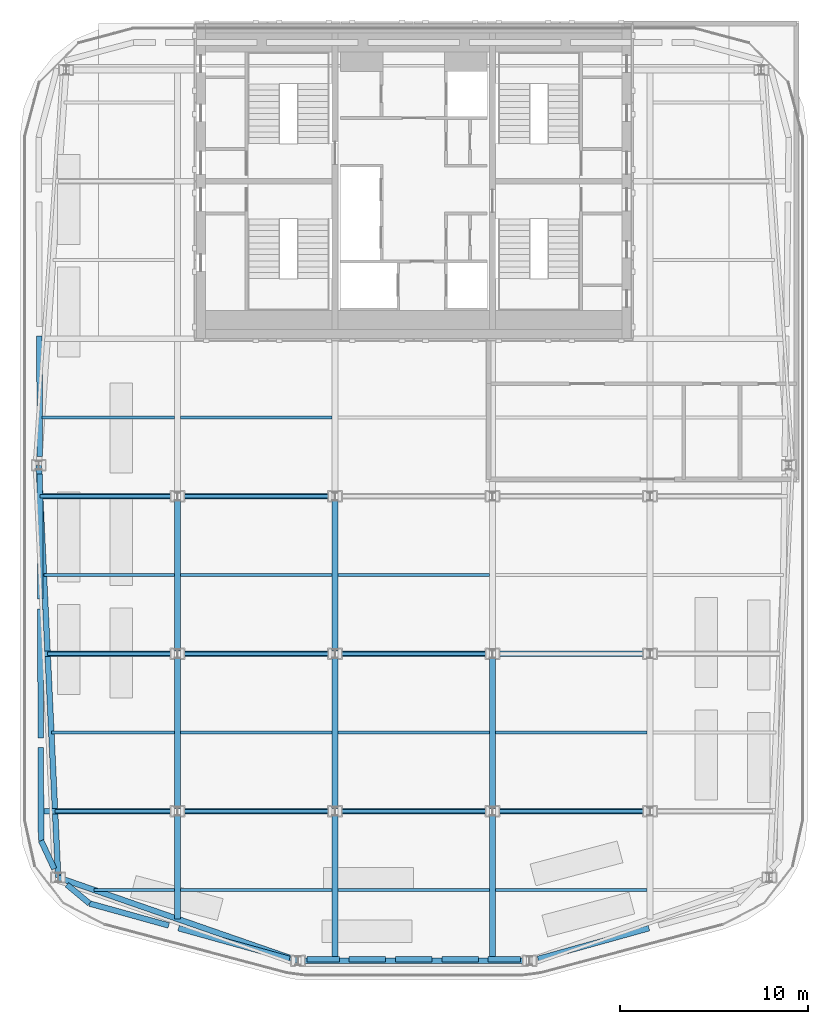
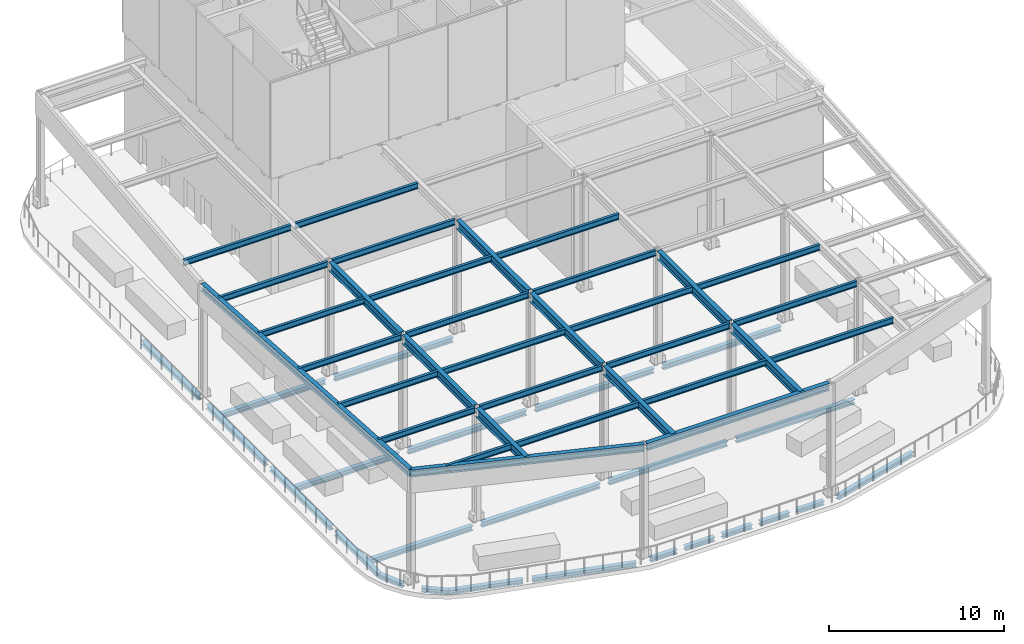
# One storey, part 3 of 14: 57 beams.
"""IFC4 building model written with IfcOpenShell, lengths in metres."""

from ifc_helpers import new_model, si_unit, direction, frame, origin, origin_2d, place, context, subcontext, project, spatial, i_section, extrude, material, material_profile, profile_set, type_object, element, save


model = new_model("IFC4")

# Units and contexts
model_context = context("Model", 3, precision=1e-05, world=origin(), true_north=direction((0.0, 1.0)))
body_context = subcontext(model_context, "Body", "Model", "MODEL_VIEW")
ifc_project = project(units=[si_unit("LENGTHUNIT", "METRE"), si_unit("AREAUNIT", "SQUARE_METRE"), si_unit("VOLUMEUNIT", "CUBIC_METRE"), si_unit("PLANEANGLEUNIT", "RADIAN"), si_unit("MASSUNIT", "GRAM", prefix="KILO")], contexts=[model_context])

# Site, building, storey
site_placement = place(None, origin())
site = spatial("IfcSite", under=ifc_project, at=site_placement, CompositionType="ELEMENT")
building_placement = place(site_placement, origin())
building = spatial("IfcBuilding", under=site, at=building_placement, Name="Marenta Gate Hotel Tower", CompositionType="ELEMENT")
storey_placement = place(building_placement, frame((0.0, 0.0, 295.699951171875)))
storey = spatial("IfcBuildingStorey", under=building, at=storey_placement, Name="L67", CompositionType="ELEMENT", Elevation=295.699951171875)

# Beams
ifc_material_1 = material(Name="Steel S355J2W", Category="steel")
ifc_material_profile_1 = material_profile(ifc_material_1, i_section(OverallWidth=0.300048828125, OverallDepth=0.5, WebThickness=0.014404296875, FlangeThickness=0.028076171875, FilletRadius=0.027099609375, at=origin_2d()), Name="HEB 500")
ifc_profile_set_1 = profile_set([ifc_material_profile_1], Name="Steel S355J2W")
beam_type_1 = type_object("IfcBeamType", Name="Canopy edge beam HEB 500", PredefinedType="BEAM", material=ifc_profile_set_1)
beam_1_placement = place(storey_placement, frame((-6.016357421875, -33.1748046875, 7.60009765625), z_axis=(1.0, 0.0, 0.0), x_axis=(0.0, 1.0, 0.0)))
element("IfcBeam", 1, at=beam_1_placement, inside=storey, type_object=beam_type_1, Name="CB-HEB500 L67-CAN-B1", PredefinedType="BEAM", context=body_context, shape_type="SweptSolid", body=[
    extrude(i_section(OverallWidth=0.300048828125, OverallDepth=0.5, WebThickness=0.014404296875, FlangeThickness=0.028076171875, FilletRadius=0.027099609375, at=origin_2d()), origin(), (0.0, 0.0, 1.0), 12.03271484375),
])
beam_2_placement = place(storey_placement, frame((-20.0, -6.75, 7.60009765625), z_axis=(0.047125567606, -0.998888973249, 0.0), x_axis=(0.998888973249, 0.047125567606, 0.0)))
element("IfcBeam", 2, at=beam_2_placement, inside=storey, type_object=beam_type_1, Name="CB-HEB500 L67-CAN-B8", PredefinedType="BEAM", context=body_context, shape_type="SweptSolid", body=[
    extrude(i_section(OverallWidth=0.300048828125, OverallDepth=0.5, WebThickness=0.014404296875, FlangeThickness=0.028076171875, FilletRadius=0.027099609375, at=origin_2d()), origin(), (0.0, 0.0, 1.0), 22.00732421875),
])
beam_3_placement = place(storey_placement, frame((-18.962890625, -28.73291015625, 7.60009765625), z_axis=(0.9447052298, -0.327920766021, 0.0), x_axis=(0.327920766021, 0.9447052298, 0.0)))
element("IfcBeam", 3, at=beam_3_placement, inside=storey, type_object=beam_type_1, Name="CB-HEB500 L67-CAN-B9", PredefinedType="BEAM", context=body_context, shape_type="SweptSolid", body=[
    extrude(i_section(OverallWidth=0.300048828125, OverallDepth=0.5, WebThickness=0.014404296875, FlangeThickness=0.028076171875, FilletRadius=0.027099609375, at=origin_2d()), origin(), (0.0, 0.0, 1.0), 13.545654296875),
])
ifc_material_2 = material(Name="Steel S355J2W", Category="steel")
ifc_material_profile_2 = material_profile(ifc_material_2, i_section(OverallWidth=0.300048828125, OverallDepth=0.60009765625, WebThickness=0.015380859375, FlangeThickness=0.030029296875, FilletRadius=0.027099609375, at=origin_2d()), Name="HEB 600")
ifc_profile_set_2 = profile_set([ifc_material_profile_2], Name="Steel S355J2W")
beam_type_2 = type_object("IfcBeamType", Name="Canopy primary beam HEB 600", PredefinedType="BEAM", material=ifc_profile_set_2)
beam_4_placement = place(storey_placement, frame((-12.60009765625, -30.941650390625, 7.550048828125), z_axis=(0.0, 1.0, 0.0), x_axis=(-1.0, 0.0, 0.0)))
element("IfcBeam", 4, at=beam_4_placement, inside=storey, type_object=beam_type_2, Name="CB-HEB600 L67-CAN-B10", PredefinedType="BEAM", context=body_context, shape_type="SweptSolid", body=[
    extrude(i_section(OverallWidth=0.300048828125, OverallDepth=0.60009765625, WebThickness=0.015380859375, FlangeThickness=0.030029296875, FilletRadius=0.027099609375, at=origin_2d()), origin(), (0.0, 0.0, 1.0), 5.591552734375),
])
beam_5_placement = place(storey_placement, frame((-12.60009765625, -25.050048828125, 7.550048828125), z_axis=(0.0, 1.0, 0.0), x_axis=(-1.0, 0.0, 0.0)))
element("IfcBeam", 5, at=beam_5_placement, inside=storey, type_object=beam_type_2, Name="CB-HEB600 L67-CAN-B11", PredefinedType="BEAM", context=body_context, shape_type="SweptSolid", body=[
    extrude(i_section(OverallWidth=0.300048828125, OverallDepth=0.60009765625, WebThickness=0.015380859375, FlangeThickness=0.030029296875, FilletRadius=0.027099609375, at=origin_2d()), origin(), (0.0, 0.0, 1.0), 8.10009765625),
])
beam_6_placement = place(storey_placement, frame((-12.60009765625, -16.64990234375, 7.550048828125), z_axis=(0.0, 1.0, 0.0), x_axis=(-1.0, 0.0, 0.0)))
element("IfcBeam", 6, at=beam_6_placement, inside=storey, type_object=beam_type_2, Name="CB-HEB600 L67-CAN-B12", PredefinedType="BEAM", context=body_context, shape_type="SweptSolid", body=[
    extrude(i_section(OverallWidth=0.300048828125, OverallDepth=0.60009765625, WebThickness=0.015380859375, FlangeThickness=0.030029296875, FilletRadius=0.027099609375, at=origin_2d()), origin(), (0.0, 0.0, 1.0), 8.099853515625),
])
beam_7_placement = place(storey_placement, frame((-4.199951171875, -33.1748046875, 7.550048828125), z_axis=(0.0, 1.0, 0.0), x_axis=(-1.0, 0.0, 0.0)))
element("IfcBeam", 7, at=beam_7_placement, inside=storey, type_object=beam_type_2, Name="CB-HEB600 L67-CAN-B14", PredefinedType="BEAM", context=body_context, shape_type="SweptSolid", body=[
    extrude(i_section(OverallWidth=0.300048828125, OverallDepth=0.60009765625, WebThickness=0.015380859375, FlangeThickness=0.030029296875, FilletRadius=0.027099609375, at=origin_2d()), origin(), (0.0, 0.0, 1.0), 7.82470703125),
])
beam_8_placement = place(storey_placement, frame((-4.199951171875, -25.050048828125, 7.550048828125), z_axis=(0.0, 1.0, 0.0), x_axis=(-1.0, 0.0, 0.0)))
element("IfcBeam", 8, at=beam_8_placement, inside=storey, type_object=beam_type_2, Name="CB-HEB600 L67-CAN-B15", PredefinedType="BEAM", context=body_context, shape_type="SweptSolid", body=[
    extrude(i_section(OverallWidth=0.300048828125, OverallDepth=0.60009765625, WebThickness=0.015380859375, FlangeThickness=0.030029296875, FilletRadius=0.027099609375, at=origin_2d()), origin(), (0.0, 0.0, 1.0), 8.10009765625),
])
beam_9_placement = place(storey_placement, frame((-4.199951171875, -16.64990234375, 7.550048828125), z_axis=(0.0, 1.0, 0.0), x_axis=(-1.0, 0.0, 0.0)))
element("IfcBeam", 9, at=beam_9_placement, inside=storey, type_object=beam_type_2, Name="CB-HEB600 L67-CAN-B16", PredefinedType="BEAM", context=body_context, shape_type="SweptSolid", body=[
    extrude(i_section(OverallWidth=0.300048828125, OverallDepth=0.60009765625, WebThickness=0.015380859375, FlangeThickness=0.030029296875, FilletRadius=0.027099609375, at=origin_2d()), origin(), (0.0, 0.0, 1.0), 8.099853515625),
])
beam_10_placement = place(storey_placement, frame((4.199951171875, -33.1748046875, 7.550048828125), z_axis=(0.0, 1.0, 0.0), x_axis=(-1.0, 0.0, 0.0)))
element("IfcBeam", 10, at=beam_10_placement, inside=storey, type_object=beam_type_2, Name="CB-HEB600 L67-CAN-B18", PredefinedType="BEAM", context=body_context, shape_type="SweptSolid", body=[
    extrude(i_section(OverallWidth=0.300048828125, OverallDepth=0.60009765625, WebThickness=0.015380859375, FlangeThickness=0.030029296875, FilletRadius=0.027099609375, at=origin_2d()), origin(), (0.0, 0.0, 1.0), 7.82470703125),
])
beam_11_placement = place(storey_placement, frame((4.199951171875, -25.050048828125, 7.550048828125), z_axis=(0.0, 1.0, 0.0), x_axis=(-1.0, 0.0, 0.0)))
element("IfcBeam", 11, at=beam_11_placement, inside=storey, type_object=beam_type_2, Name="CB-HEB600 L67-CAN-B19", PredefinedType="BEAM", context=body_context, shape_type="SweptSolid", body=[
    extrude(i_section(OverallWidth=0.300048828125, OverallDepth=0.60009765625, WebThickness=0.015380859375, FlangeThickness=0.030029296875, FilletRadius=0.027099609375, at=origin_2d()), origin(), (0.0, 0.0, 1.0), 8.10009765625),
])
ifc_material_3 = material(Name="Steel S355J2W", Category="steel")
ifc_material_profile_3 = material_profile(ifc_material_3, i_section(OverallWidth=0.179931640625, OverallDepth=0.39990234375, WebThickness=0.008544921875, FlangeThickness=0.013427734375, FilletRadius=0.02099609375, at=origin_2d()), Name="IPE 400")
ifc_profile_set_3 = profile_set([ifc_material_profile_3], Name="Steel S355J2W")
beam_type_3 = type_object("IfcBeamType", Name="Canopy secondary beam IPE 400", PredefinedType="BEAM", material=ifc_profile_set_3)
beam_12_placement = place(storey_placement, frame((-19.822998046875, -4.199951171875, 7.650146484375), z_axis=(1.0, 0.0, 0.0), x_axis=(0.0, 1.0, 0.0)))
element("IfcBeam", 12, at=beam_12_placement, inside=storey, type_object=beam_type_3, Name="CB-IPE400 L67-CAN-B26", PredefinedType="BEAM", context=body_context, shape_type="SweptSolid", body=[
    extrude(i_section(OverallWidth=0.179931640625, OverallDepth=0.39990234375, WebThickness=0.008544921875, FlangeThickness=0.013427734375, FilletRadius=0.02099609375, at=origin_2d()), origin(), (0.0, 0.0, 1.0), 7.072998046875),
])
beam_13_placement = place(storey_placement, frame((-12.449951171875, -4.199951171875, 7.650146484375), z_axis=(1.0, 0.0, 0.0), x_axis=(0.0, 1.0, 0.0)))
element("IfcBeam", 13, at=beam_13_placement, inside=storey, type_object=beam_type_3, Name="CB-IPE400 L67-CAN-B27", PredefinedType="BEAM", context=body_context, shape_type="SweptSolid", body=[
    extrude(i_section(OverallWidth=0.179931640625, OverallDepth=0.39990234375, WebThickness=0.008544921875, FlangeThickness=0.013427734375, FilletRadius=0.02099609375, at=origin_2d()), origin(), (0.0, 0.0, 1.0), 8.099853515625),
])
beam_14_placement = place(storey_placement, frame((-19.922119140625, -8.39990234375, 7.650146484375), z_axis=(1.0, 0.0, 0.0), x_axis=(0.0, 1.0, 0.0)))
element("IfcBeam", 14, at=beam_14_placement, inside=storey, type_object=beam_type_3, Name="CB-IPE400 L67-CAN-B31", PredefinedType="BEAM", context=body_context, shape_type="SweptSolid", body=[
    extrude(i_section(OverallWidth=0.179931640625, OverallDepth=0.39990234375, WebThickness=0.008544921875, FlangeThickness=0.013427734375, FilletRadius=0.02099609375, at=origin_2d()), origin(), (0.0, 0.0, 1.0), 7.172119140625),
])
beam_15_placement = place(storey_placement, frame((-12.449951171875, -8.39990234375, 7.650146484375), z_axis=(1.0, 0.0, 0.0), x_axis=(0.0, 1.0, 0.0)))
element("IfcBeam", 15, at=beam_15_placement, inside=storey, type_object=beam_type_3, Name="CB-IPE400 L67-CAN-B32", PredefinedType="BEAM", context=body_context, shape_type="SweptSolid", body=[
    extrude(i_section(OverallWidth=0.179931640625, OverallDepth=0.39990234375, WebThickness=0.008544921875, FlangeThickness=0.013427734375, FilletRadius=0.02099609375, at=origin_2d()), origin(), (0.0, 0.0, 1.0), 8.099853515625),
])
beam_16_placement = place(storey_placement, frame((-19.72412109375, -12.60009765625, 7.650146484375), z_axis=(1.0, 0.0, 0.0), x_axis=(0.0, 1.0, 0.0)))
element("IfcBeam", 16, at=beam_16_placement, inside=storey, type_object=beam_type_3, Name="CB-IPE400 L67-CAN-B36", PredefinedType="BEAM", context=body_context, shape_type="SweptSolid", body=[
    extrude(i_section(OverallWidth=0.179931640625, OverallDepth=0.39990234375, WebThickness=0.008544921875, FlangeThickness=0.013427734375, FilletRadius=0.02099609375, at=origin_2d()), origin(), (0.0, 0.0, 1.0), 6.97412109375),
])
beam_17_placement = place(storey_placement, frame((-12.449951171875, -12.60009765625, 7.650146484375), z_axis=(1.0, 0.0, 0.0), x_axis=(0.0, 1.0, 0.0)))
element("IfcBeam", 17, at=beam_17_placement, inside=storey, type_object=beam_type_3, Name="CB-IPE400 L67-CAN-B37", PredefinedType="BEAM", context=body_context, shape_type="SweptSolid", body=[
    extrude(i_section(OverallWidth=0.179931640625, OverallDepth=0.39990234375, WebThickness=0.008544921875, FlangeThickness=0.013427734375, FilletRadius=0.02099609375, at=origin_2d()), origin(), (0.0, 0.0, 1.0), 8.099853515625),
])
beam_18_placement = place(storey_placement, frame((-4.050048828125, -12.60009765625, 7.650146484375), z_axis=(1.0, 0.0, 0.0), x_axis=(0.0, 1.0, 0.0)))
element("IfcBeam", 18, at=beam_18_placement, inside=storey, type_object=beam_type_3, Name="CB-IPE400 L67-CAN-B38", PredefinedType="BEAM", context=body_context, shape_type="SweptSolid", body=[
    extrude(i_section(OverallWidth=0.179931640625, OverallDepth=0.39990234375, WebThickness=0.008544921875, FlangeThickness=0.013427734375, FilletRadius=0.02099609375, at=origin_2d()), origin(), (0.0, 0.0, 1.0), 8.10009765625),
])
beam_19_placement = place(storey_placement, frame((-19.52587890625, -16.800048828125, 7.650146484375), z_axis=(1.0, 0.0, 0.0), x_axis=(0.0, 1.0, 0.0)))
element("IfcBeam", 19, at=beam_19_placement, inside=storey, type_object=beam_type_3, Name="CB-IPE400 L67-CAN-B41", PredefinedType="BEAM", context=body_context, shape_type="SweptSolid", body=[
    extrude(i_section(OverallWidth=0.179931640625, OverallDepth=0.39990234375, WebThickness=0.008544921875, FlangeThickness=0.013427734375, FilletRadius=0.02099609375, at=origin_2d()), origin(), (0.0, 0.0, 1.0), 6.77587890625),
])
beam_20_placement = place(storey_placement, frame((-12.449951171875, -16.800048828125, 7.650146484375), z_axis=(1.0, 0.0, 0.0), x_axis=(0.0, 1.0, 0.0)))
element("IfcBeam", 20, at=beam_20_placement, inside=storey, type_object=beam_type_3, Name="CB-IPE400 L67-CAN-B42", PredefinedType="BEAM", context=body_context, shape_type="SweptSolid", body=[
    extrude(i_section(OverallWidth=0.179931640625, OverallDepth=0.39990234375, WebThickness=0.008544921875, FlangeThickness=0.013427734375, FilletRadius=0.02099609375, at=origin_2d()), origin(), (0.0, 0.0, 1.0), 8.099853515625),
])
beam_21_placement = place(storey_placement, frame((-4.050048828125, -16.800048828125, 7.650146484375), z_axis=(1.0, 0.0, 0.0), x_axis=(0.0, 1.0, 0.0)))
element("IfcBeam", 21, at=beam_21_placement, inside=storey, type_object=beam_type_3, Name="CB-IPE400 L67-CAN-B43", PredefinedType="BEAM", context=body_context, shape_type="SweptSolid", body=[
    extrude(i_section(OverallWidth=0.179931640625, OverallDepth=0.39990234375, WebThickness=0.008544921875, FlangeThickness=0.013427734375, FilletRadius=0.02099609375, at=origin_2d()), origin(), (0.0, 0.0, 1.0), 8.10009765625),
])
beam_22_placement = place(storey_placement, frame((-19.327880859375, -21.0, 7.650146484375), z_axis=(1.0, 0.0, 0.0), x_axis=(0.0, 1.0, 0.0)))
element("IfcBeam", 22, at=beam_22_placement, inside=storey, type_object=beam_type_3, Name="CB-IPE400 L67-CAN-B46", PredefinedType="BEAM", context=body_context, shape_type="SweptSolid", body=[
    extrude(i_section(OverallWidth=0.179931640625, OverallDepth=0.39990234375, WebThickness=0.008544921875, FlangeThickness=0.013427734375, FilletRadius=0.02099609375, at=origin_2d()), origin(), (0.0, 0.0, 1.0), 6.577880859375),
])
beam_23_placement = place(storey_placement, frame((-12.449951171875, -21.0, 7.650146484375), z_axis=(1.0, 0.0, 0.0), x_axis=(0.0, 1.0, 0.0)))
element("IfcBeam", 23, at=beam_23_placement, inside=storey, type_object=beam_type_3, Name="CB-IPE400 L67-CAN-B47", PredefinedType="BEAM", context=body_context, shape_type="SweptSolid", body=[
    extrude(i_section(OverallWidth=0.179931640625, OverallDepth=0.39990234375, WebThickness=0.008544921875, FlangeThickness=0.013427734375, FilletRadius=0.02099609375, at=origin_2d()), origin(), (0.0, 0.0, 1.0), 8.099853515625),
])
beam_24_placement = place(storey_placement, frame((-4.050048828125, -21.0, 7.650146484375), z_axis=(1.0, 0.0, 0.0), x_axis=(0.0, 1.0, 0.0)))
element("IfcBeam", 24, at=beam_24_placement, inside=storey, type_object=beam_type_3, Name="CB-IPE400 L67-CAN-B48", PredefinedType="BEAM", context=body_context, shape_type="SweptSolid", body=[
    extrude(i_section(OverallWidth=0.179931640625, OverallDepth=0.39990234375, WebThickness=0.008544921875, FlangeThickness=0.013427734375, FilletRadius=0.02099609375, at=origin_2d()), origin(), (0.0, 0.0, 1.0), 8.10009765625),
])
beam_25_placement = place(storey_placement, frame((4.35009765625, -21.0, 7.650146484375), z_axis=(1.0, 0.0, 0.0), x_axis=(0.0, 1.0, 0.0)))
element("IfcBeam", 25, at=beam_25_placement, inside=storey, type_object=beam_type_3, Name="CB-IPE400 L67-CAN-B49", PredefinedType="BEAM", context=body_context, shape_type="SweptSolid", body=[
    extrude(i_section(OverallWidth=0.179931640625, OverallDepth=0.39990234375, WebThickness=0.008544921875, FlangeThickness=0.013427734375, FilletRadius=0.02099609375, at=origin_2d()), origin(), (0.0, 0.0, 1.0), 8.099853515625),
])
beam_26_placement = place(storey_placement, frame((-19.129638671875, -25.199951171875, 7.650146484375), z_axis=(1.0, 0.0, 0.0), x_axis=(0.0, 1.0, 0.0)))
element("IfcBeam", 26, at=beam_26_placement, inside=storey, type_object=beam_type_3, Name="CB-IPE400 L67-CAN-B51", PredefinedType="BEAM", context=body_context, shape_type="SweptSolid", body=[
    extrude(i_section(OverallWidth=0.179931640625, OverallDepth=0.39990234375, WebThickness=0.008544921875, FlangeThickness=0.013427734375, FilletRadius=0.02099609375, at=origin_2d()), origin(), (0.0, 0.0, 1.0), 6.379638671875),
])
beam_27_placement = place(storey_placement, frame((-12.449951171875, -25.199951171875, 7.650146484375), z_axis=(1.0, 0.0, 0.0), x_axis=(0.0, 1.0, 0.0)))
element("IfcBeam", 27, at=beam_27_placement, inside=storey, type_object=beam_type_3, Name="CB-IPE400 L67-CAN-B52", PredefinedType="BEAM", context=body_context, shape_type="SweptSolid", body=[
    extrude(i_section(OverallWidth=0.179931640625, OverallDepth=0.39990234375, WebThickness=0.008544921875, FlangeThickness=0.013427734375, FilletRadius=0.02099609375, at=origin_2d()), origin(), (0.0, 0.0, 1.0), 8.099853515625),
])
beam_28_placement = place(storey_placement, frame((-4.050048828125, -25.199951171875, 7.650146484375), z_axis=(1.0, 0.0, 0.0), x_axis=(0.0, 1.0, 0.0)))
element("IfcBeam", 28, at=beam_28_placement, inside=storey, type_object=beam_type_3, Name="CB-IPE400 L67-CAN-B53", PredefinedType="BEAM", context=body_context, shape_type="SweptSolid", body=[
    extrude(i_section(OverallWidth=0.179931640625, OverallDepth=0.39990234375, WebThickness=0.008544921875, FlangeThickness=0.013427734375, FilletRadius=0.02099609375, at=origin_2d()), origin(), (0.0, 0.0, 1.0), 8.10009765625),
])
beam_29_placement = place(storey_placement, frame((4.35009765625, -25.199951171875, 7.650146484375), z_axis=(1.0, 0.0, 0.0), x_axis=(0.0, 1.0, 0.0)))
element("IfcBeam", 29, at=beam_29_placement, inside=storey, type_object=beam_type_3, Name="CB-IPE400 L67-CAN-B54", PredefinedType="BEAM", context=body_context, shape_type="SweptSolid", body=[
    extrude(i_section(OverallWidth=0.179931640625, OverallDepth=0.39990234375, WebThickness=0.008544921875, FlangeThickness=0.013427734375, FilletRadius=0.02099609375, at=origin_2d()), origin(), (0.0, 0.0, 1.0), 8.099853515625),
])
beam_30_placement = place(storey_placement, frame((-17.04150390625, -29.39990234375, 7.650146484375), z_axis=(1.0, 0.0, 0.0), x_axis=(0.0, 1.0, 0.0)))
element("IfcBeam", 30, at=beam_30_placement, inside=storey, type_object=beam_type_3, Name="CB-IPE400 L67-CAN-B56", PredefinedType="BEAM", context=body_context, shape_type="SweptSolid", body=[
    extrude(i_section(OverallWidth=0.179931640625, OverallDepth=0.39990234375, WebThickness=0.008544921875, FlangeThickness=0.013427734375, FilletRadius=0.02099609375, at=origin_2d()), origin(), (0.0, 0.0, 1.0), 4.29150390625),
])
beam_31_placement = place(storey_placement, frame((-12.449951171875, -29.39990234375, 7.650146484375), z_axis=(1.0, 0.0, 0.0), x_axis=(0.0, 1.0, 0.0)))
element("IfcBeam", 31, at=beam_31_placement, inside=storey, type_object=beam_type_3, Name="CB-IPE400 L67-CAN-B57", PredefinedType="BEAM", context=body_context, shape_type="SweptSolid", body=[
    extrude(i_section(OverallWidth=0.179931640625, OverallDepth=0.39990234375, WebThickness=0.008544921875, FlangeThickness=0.013427734375, FilletRadius=0.02099609375, at=origin_2d()), origin(), (0.0, 0.0, 1.0), 8.099853515625),
])
beam_32_placement = place(storey_placement, frame((-4.050048828125, -29.39990234375, 7.650146484375), z_axis=(1.0, 0.0, 0.0), x_axis=(0.0, 1.0, 0.0)))
element("IfcBeam", 32, at=beam_32_placement, inside=storey, type_object=beam_type_3, Name="CB-IPE400 L67-CAN-B58", PredefinedType="BEAM", context=body_context, shape_type="SweptSolid", body=[
    extrude(i_section(OverallWidth=0.179931640625, OverallDepth=0.39990234375, WebThickness=0.008544921875, FlangeThickness=0.013427734375, FilletRadius=0.02099609375, at=origin_2d()), origin(), (0.0, 0.0, 1.0), 8.10009765625),
])
beam_33_placement = place(storey_placement, frame((4.35009765625, -29.39990234375, 7.650146484375), z_axis=(1.0, 0.0, 0.0), x_axis=(0.0, 1.0, 0.0)))
element("IfcBeam", 33, at=beam_33_placement, inside=storey, type_object=beam_type_3, Name="CB-IPE400 L67-CAN-B59", PredefinedType="BEAM", context=body_context, shape_type="SweptSolid", body=[
    extrude(i_section(OverallWidth=0.179931640625, OverallDepth=0.39990234375, WebThickness=0.008544921875, FlangeThickness=0.013427734375, FilletRadius=0.02099609375, at=origin_2d()), origin(), (0.0, 0.0, 1.0), 8.099853515625),
])
ifc_material_4 = material(Name="Steel S355", Category="steel")
ifc_material_profile_4 = material_profile(ifc_material_4, i_section(OverallWidth=0.300048828125, OverallDepth=0.300048828125, WebThickness=0.010986328125, FlangeThickness=0.01904296875, FilletRadius=0.027099609375, at=origin_2d()), Name="HEB 300")
ifc_profile_set_4 = profile_set([ifc_material_profile_4], Name="Steel S355")
beam_type_4 = type_object("IfcBeamType", Name="Edge beam HEB 300", PredefinedType="SPANDREL", material=ifc_profile_set_4)
beam_34_placement = place(storey_placement, frame((-6.627685546875, -33.077880859375, -0.449951171875), z_axis=(-0.963620927714, 0.267272721524, 0.0), x_axis=(-0.267272721524, -0.963620927714, 0.0)))
element("IfcBeam", 34, at=beam_34_placement, inside=storey, type_object=beam_type_4, Name="L67-EB-1", PredefinedType="SPANDREL", context=body_context, shape_type="SweptSolid", body=[
    extrude(i_section(OverallWidth=0.300048828125, OverallDepth=0.300048828125, WebThickness=0.010986328125, FlangeThickness=0.01904296875, FilletRadius=0.027099609375, at=origin_2d()), origin(), (0.0, 0.0, 1.0), 6.14111328125),
])
beam_35_placement = place(storey_placement, frame((-13.068359375, -31.29150390625, -0.449951171875), z_axis=(-0.963619865986, 0.267276549434, 0.0), x_axis=(-0.267276549434, -0.963619865986, 0.0)))
element("IfcBeam", 35, at=beam_35_placement, inside=storey, type_object=beam_type_4, Name="L67-EB-2", PredefinedType="SPANDREL", context=body_context, shape_type="SweptSolid", body=[
    extrude(i_section(OverallWidth=0.300048828125, OverallDepth=0.300048828125, WebThickness=0.010986328125, FlangeThickness=0.01904296875, FilletRadius=0.027099609375, at=origin_2d()), origin(), (0.0, 0.0, 1.0), 4.38818359375),
])
beam_36_placement = place(storey_placement, frame((-17.296875, -30.11865234375, -0.449951171875), z_axis=(-0.767142679, 0.641476507797, 0.0), x_axis=(-0.641476507797, -0.767142679, 0.0)))
element("IfcBeam", 36, at=beam_36_placement, inside=storey, type_object=beam_type_4, Name="L67-EB-3", PredefinedType="SPANDREL", context=body_context, shape_type="SweptSolid", body=[
    extrude(i_section(OverallWidth=0.300048828125, OverallDepth=0.300048828125, WebThickness=0.010986328125, FlangeThickness=0.01904296875, FilletRadius=0.027099609375, at=origin_2d()), origin(), (0.0, 0.0, 1.0), 1.56005859375),
])
beam_37_placement = place(storey_placement, frame((-19.17333984375, -28.269287109375, -0.449951171875), z_axis=(-0.423320693933, 0.905979906007, 0.0), x_axis=(-0.905979906007, -0.423320693933, 0.0)))
element("IfcBeam", 37, at=beam_37_placement, inside=storey, type_object=beam_type_4, Name="L67-EB-4", PredefinedType="SPANDREL", context=body_context, shape_type="SweptSolid", body=[
    extrude(i_section(OverallWidth=0.300048828125, OverallDepth=0.300048828125, WebThickness=0.010986328125, FlangeThickness=0.01904296875, FilletRadius=0.027099609375, at=origin_2d()), origin(), (0.0, 0.0, 1.0), 1.658203125),
])
beam_38_placement = place(storey_placement, frame((-19.875244140625, -26.76708984375, -0.449951171875), z_axis=(-0.003301125095, 0.999994551272, 0.0), x_axis=(-0.999994551272, -0.003301125095, 0.0)))
element("IfcBeam", 38, at=beam_38_placement, inside=storey, type_object=beam_type_4, Name="L67-EB-5", PredefinedType="SPANDREL", context=body_context, shape_type="SweptSolid", body=[
    extrude(i_section(OverallWidth=0.300048828125, OverallDepth=0.300048828125, WebThickness=0.010986328125, FlangeThickness=0.01904296875, FilletRadius=0.027099609375, at=origin_2d()), origin(), (0.0, 0.0, 1.0), 4.955078125),
])
beam_39_placement = place(storey_placement, frame((-19.893310546875, -21.2919921875, -0.449951171875), z_axis=(-0.003335088779, 0.999994438576, 0.0), x_axis=(-0.999994438576, -0.003335088779, 0.0)))
element("IfcBeam", 39, at=beam_39_placement, inside=storey, type_object=beam_type_4, Name="L67-EB-6", PredefinedType="SPANDREL", context=body_context, shape_type="SweptSolid", body=[
    extrude(i_section(OverallWidth=0.300048828125, OverallDepth=0.300048828125, WebThickness=0.010986328125, FlangeThickness=0.01904296875, FilletRadius=0.027099609375, at=origin_2d()), origin(), (0.0, 0.0, 1.0), 6.881103515625),
])
beam_40_placement = place(storey_placement, frame((-19.91796875, -13.890869140625, -0.449951171875), z_axis=(-0.00332539729, 0.999994470851, 0.0), x_axis=(-0.999994470851, -0.00332539729, 0.0)))
element("IfcBeam", 40, at=beam_40_placement, inside=storey, type_object=beam_type_4, Name="L67-EB-7", PredefinedType="SPANDREL", context=body_context, shape_type="SweptSolid", body=[
    extrude(i_section(OverallWidth=0.300048828125, OverallDepth=0.300048828125, WebThickness=0.010986328125, FlangeThickness=0.01904296875, FilletRadius=0.027099609375, at=origin_2d()), origin(), (0.0, 0.0, 1.0), 6.680908203125),
])
beam_41_placement = place(storey_placement, frame((-19.943359375, -6.2900390625, -0.449951171875), z_axis=(-0.003339513085, 0.999994423811, 0.0), x_axis=(-0.999994423811, -0.003339513085, 0.0)))
element("IfcBeam", 41, at=beam_41_placement, inside=storey, type_object=beam_type_4, Name="L67-EB-8", PredefinedType="SPANDREL", context=body_context, shape_type="SweptSolid", body=[
    extrude(i_section(OverallWidth=0.300048828125, OverallDepth=0.300048828125, WebThickness=0.010986328125, FlangeThickness=0.01904296875, FilletRadius=0.027099609375, at=origin_2d()), origin(), (0.0, 0.0, 1.0), 6.433349609375),
])
beam_42_placement = place(storey_placement, frame((12.54541015625, -31.4365234375, -0.449951171875), z_axis=(-0.963620927714, -0.267272721524, 0.0), x_axis=(0.267272721524, -0.963620927714, 0.0)))
element("IfcBeam", 42, at=beam_42_placement, inside=storey, type_object=beam_type_4, Name="L67-EB-30", PredefinedType="SPANDREL", context=body_context, shape_type="SweptSolid", body=[
    extrude(i_section(OverallWidth=0.300048828125, OverallDepth=0.300048828125, WebThickness=0.010986328125, FlangeThickness=0.01904296875, FilletRadius=0.027099609375, at=origin_2d()), origin(), (0.0, 0.0, 1.0), 6.14111328125),
])
beam_43_placement = place(storey_placement, frame((5.706298828125, -33.09130859375, -0.449951171875), z_axis=(-1.0, 0.0, 0.0), x_axis=(0.0, -1.0, 0.0)))
element("IfcBeam", 43, at=beam_43_placement, inside=storey, type_object=beam_type_4, Name="L67-EB-31", PredefinedType="SPANDREL", context=body_context, shape_type="SweptSolid", body=[
    extrude(i_section(OverallWidth=0.300048828125, OverallDepth=0.300048828125, WebThickness=0.010986328125, FlangeThickness=0.01904296875, FilletRadius=0.027099609375, at=origin_2d()), origin(), (0.0, 0.0, 1.0), 1.74609375),
])
for number, where, z_axis, x_axis, name in (
    (44, (3.440185546875, -33.09130859375, -0.449951171875), (-1.0, 0.0, 0.0), (0.0, -1.0, 0.0), "L67-EB-32"),
    (45, (0.973388671875, -33.09130859375, -0.449951171875), (-1.0, 0.0, 0.0), (0.0, -1.0, 0.0), "L67-EB-33"),
    (46, (-1.493408203125, -33.09130859375, -0.449951171875), (-1.0, 0.0, 0.0), (0.0, -1.0, 0.0), "L67-EB-34"),
):
    element("IfcBeam", number, at=place(storey_placement, frame(where, z_axis=z_axis, x_axis=x_axis)), inside=storey, type_object=beam_type_4, Name=name, PredefinedType="SPANDREL", context=body_context, shape_type="SweptSolid", body=[
        extrude(i_section(OverallWidth=0.300048828125, OverallDepth=0.300048828125, WebThickness=0.010986328125, FlangeThickness=0.01904296875, FilletRadius=0.027099609375, at=origin_2d()), origin(), (0.0, 0.0, 1.0), 1.94677734375),
    ])
beam_44_placement = place(storey_placement, frame((-3.960205078125, -33.09130859375, -0.449951171875), z_axis=(-1.0, 0.0, 0.0), x_axis=(0.0, -1.0, 0.0)))
element("IfcBeam", 47, at=beam_44_placement, inside=storey, type_object=beam_type_4, Name="L67-EB-35", PredefinedType="SPANDREL", context=body_context, shape_type="SweptSolid", body=[
    extrude(i_section(OverallWidth=0.300048828125, OverallDepth=0.300048828125, WebThickness=0.010986328125, FlangeThickness=0.01904296875, FilletRadius=0.027099609375, at=origin_2d()), origin(), (0.0, 0.0, 1.0), 1.74609375),
])
ifc_material_5 = material(Name="Steel S355", Category="steel")
ifc_material_profile_5 = material_profile(ifc_material_5, i_section(OverallWidth=0.300048828125, OverallDepth=0.340087890625, WebThickness=0.011962890625, FlangeThickness=0.021484375, FilletRadius=0.027099609375, at=origin_2d()), Name="HEB 340")
ifc_profile_set_5 = profile_set([ifc_material_profile_5], Name="Steel S355")
beam_type_5 = type_object("IfcBeamType", Name="Girder HEB 340", PredefinedType="BEAM", material=ifc_profile_set_5)
beam_45_placement = place(storey_placement, frame((-19.73046875, -25.199951171875, -0.469970703125), z_axis=(1.0, 0.0, 0.0), x_axis=(0.0, 1.0, 0.0)))
element("IfcBeam", 48, at=beam_45_placement, inside=storey, type_object=beam_type_5, Name="L67-GD-1", PredefinedType="BEAM", context=body_context, shape_type="SweptSolid", body=[
    extrude(i_section(OverallWidth=0.300048828125, OverallDepth=0.340087890625, WebThickness=0.011962890625, FlangeThickness=0.021484375, FilletRadius=0.027099609375, at=origin_2d()), origin(), (0.0, 0.0, 1.0), 6.83056640625),
])
beam_46_placement = place(storey_placement, frame((-12.300048828125, -25.199951171875, -0.469970703125), z_axis=(1.0, 0.0, 0.0), x_axis=(0.0, 1.0, 0.0)))
element("IfcBeam", 49, at=beam_46_placement, inside=storey, type_object=beam_type_5, Name="L67-GD-2", PredefinedType="BEAM", context=body_context, shape_type="SweptSolid", body=[
    extrude(i_section(OverallWidth=0.300048828125, OverallDepth=0.340087890625, WebThickness=0.011962890625, FlangeThickness=0.021484375, FilletRadius=0.027099609375, at=origin_2d()), origin(), (0.0, 0.0, 1.0), 7.800048828125),
])
beam_47_placement = place(storey_placement, frame((-3.89990234375, -25.199951171875, -0.469970703125), z_axis=(1.0, 0.0, 0.0), x_axis=(0.0, 1.0, 0.0)))
element("IfcBeam", 50, at=beam_47_placement, inside=storey, type_object=beam_type_5, Name="L67-GD-3", PredefinedType="BEAM", context=body_context, shape_type="SweptSolid", body=[
    extrude(i_section(OverallWidth=0.300048828125, OverallDepth=0.340087890625, WebThickness=0.011962890625, FlangeThickness=0.021484375, FilletRadius=0.027099609375, at=origin_2d()), origin(), (0.0, 0.0, 1.0), 7.7998046875),
])
beam_48_placement = place(storey_placement, frame((4.5, -25.199951171875, -0.469970703125), z_axis=(1.0, 0.0, 0.0), x_axis=(0.0, 1.0, 0.0)))
element("IfcBeam", 51, at=beam_48_placement, inside=storey, type_object=beam_type_5, Name="L67-GD-4", PredefinedType="BEAM", context=body_context, shape_type="SweptSolid", body=[
    extrude(i_section(OverallWidth=0.300048828125, OverallDepth=0.340087890625, WebThickness=0.011962890625, FlangeThickness=0.021484375, FilletRadius=0.027099609375, at=origin_2d()), origin(), (0.0, 0.0, 1.0), 7.800048828125),
])
beam_49_placement = place(storey_placement, frame((-19.75830078125, -16.800048828125, -0.469970703125), z_axis=(1.0, 0.0, 0.0), x_axis=(0.0, 1.0, 0.0)))
element("IfcBeam", 52, at=beam_49_placement, inside=storey, type_object=beam_type_5, Name="L67-GD-6", PredefinedType="BEAM", context=body_context, shape_type="SweptSolid", body=[
    extrude(i_section(OverallWidth=0.300048828125, OverallDepth=0.340087890625, WebThickness=0.011962890625, FlangeThickness=0.021484375, FilletRadius=0.027099609375, at=origin_2d()), origin(), (0.0, 0.0, 1.0), 6.8583984375),
])
beam_50_placement = place(storey_placement, frame((-12.300048828125, -16.800048828125, -0.469970703125), z_axis=(1.0, 0.0, 0.0), x_axis=(0.0, 1.0, 0.0)))
element("IfcBeam", 53, at=beam_50_placement, inside=storey, type_object=beam_type_5, Name="L67-GD-7", PredefinedType="BEAM", context=body_context, shape_type="SweptSolid", body=[
    extrude(i_section(OverallWidth=0.300048828125, OverallDepth=0.340087890625, WebThickness=0.011962890625, FlangeThickness=0.021484375, FilletRadius=0.027099609375, at=origin_2d()), origin(), (0.0, 0.0, 1.0), 7.800048828125),
])
beam_51_placement = place(storey_placement, frame((-3.89990234375, -16.800048828125, -0.469970703125), z_axis=(1.0, 0.0, 0.0), x_axis=(0.0, 1.0, 0.0)))
element("IfcBeam", 54, at=beam_51_placement, inside=storey, type_object=beam_type_5, Name="L67-GD-8", PredefinedType="BEAM", context=body_context, shape_type="SweptSolid", body=[
    extrude(i_section(OverallWidth=0.300048828125, OverallDepth=0.340087890625, WebThickness=0.011962890625, FlangeThickness=0.021484375, FilletRadius=0.027099609375, at=origin_2d()), origin(), (0.0, 0.0, 1.0), 7.7998046875),
])
beam_52_placement = place(storey_placement, frame((4.5, -16.800048828125, -0.469970703125), z_axis=(1.0, 0.0, 0.0), x_axis=(0.0, 1.0, 0.0)))
element("IfcBeam", 55, at=beam_52_placement, inside=storey, type_object=beam_type_5, Name="L67-GD-9", PredefinedType="BEAM", context=body_context, shape_type="SweptSolid", body=[
    extrude(i_section(OverallWidth=0.300048828125, OverallDepth=0.340087890625, WebThickness=0.011962890625, FlangeThickness=0.021484375, FilletRadius=0.027099609375, at=origin_2d()), origin(), (0.0, 0.0, 1.0), 7.800048828125),
])
beam_53_placement = place(storey_placement, frame((-19.786376953125, -8.39990234375, -0.469970703125), z_axis=(1.0, 0.0, 0.0), x_axis=(0.0, 1.0, 0.0)))
element("IfcBeam", 56, at=beam_53_placement, inside=storey, type_object=beam_type_5, Name="L67-GD-11", PredefinedType="BEAM", context=body_context, shape_type="SweptSolid", body=[
    extrude(i_section(OverallWidth=0.300048828125, OverallDepth=0.340087890625, WebThickness=0.011962890625, FlangeThickness=0.021484375, FilletRadius=0.027099609375, at=origin_2d()), origin(), (0.0, 0.0, 1.0), 6.886474609375),
])
beam_54_placement = place(storey_placement, frame((-12.300048828125, -8.39990234375, -0.469970703125), z_axis=(1.0, 0.0, 0.0), x_axis=(0.0, 1.0, 0.0)))
element("IfcBeam", 57, at=beam_54_placement, inside=storey, type_object=beam_type_5, Name="L67-GD-12", PredefinedType="BEAM", context=body_context, shape_type="SweptSolid", body=[
    extrude(i_section(OverallWidth=0.300048828125, OverallDepth=0.340087890625, WebThickness=0.011962890625, FlangeThickness=0.021484375, FilletRadius=0.027099609375, at=origin_2d()), origin(), (0.0, 0.0, 1.0), 7.800048828125),
])

save(model, "model.ifc")
